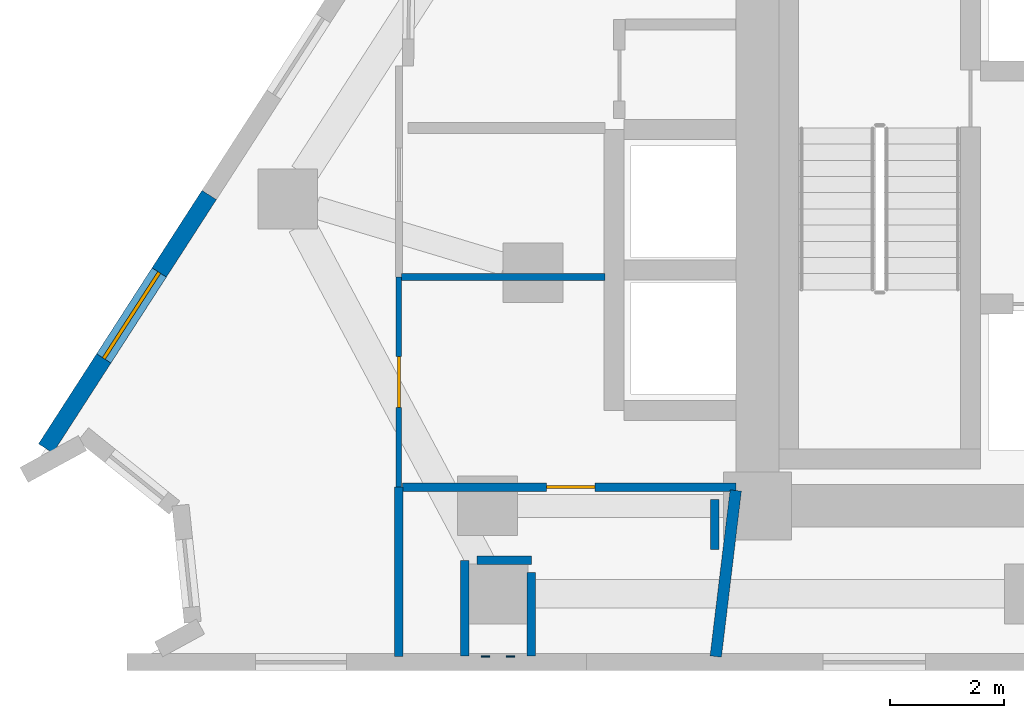
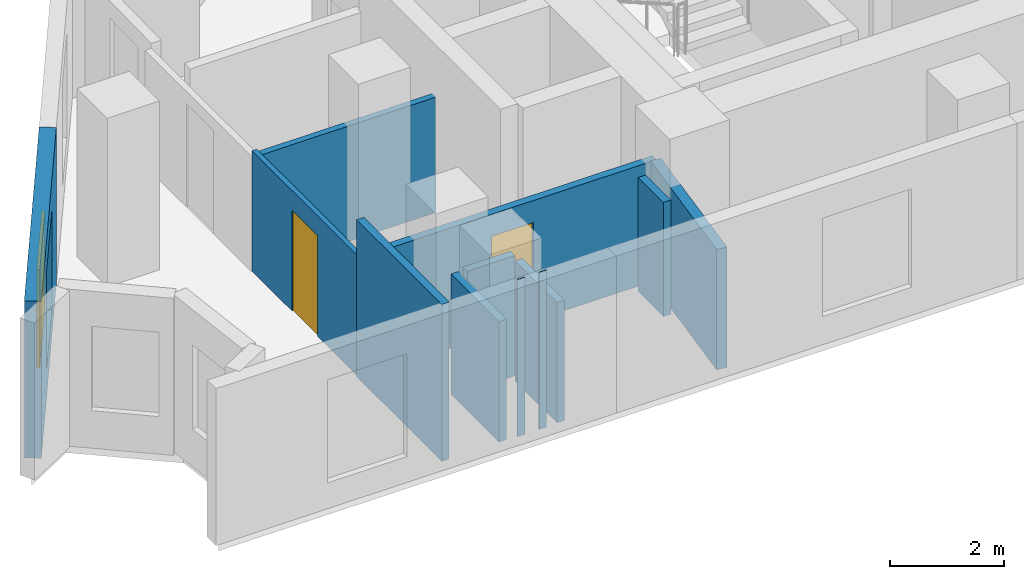
# One storey, part 5 of 11: 12 walls, 2 doors, 1 window, 3 openings.
"""IFC4 building model written with IfcOpenShell, lengths in metres."""

from ifc_helpers import new_model, si_unit, direction, frame, frame_2d, origin, place, context, subcontext, project, spatial, rectangle, extrude, material, layer, layer_set, type_object, element, fill, save


model = new_model("IFC4")

# Units and contexts
model_context = context("Model", 3, precision=1e-05, world=origin(), true_north=direction((0.0, 1.0)))
body_context = subcontext(model_context, "Body", "Model", "MODEL_VIEW")
ifc_project = project(units=[si_unit("LENGTHUNIT", "METRE"), si_unit("AREAUNIT", "SQUARE_METRE"), si_unit("VOLUMEUNIT", "CUBIC_METRE"), si_unit("PLANEANGLEUNIT", "RADIAN"), si_unit("MASSUNIT", "GRAM", prefix="KILO")], contexts=[model_context])

# Site, building, storey
site_placement = place(None, origin())
site = spatial("IfcSite", under=ifc_project, at=site_placement, CompositionType="ELEMENT")
building_placement = place(site_placement, origin())
building = spatial("IfcBuilding", under=site, at=building_placement, Name="Almagre Mirador Tower", CompositionType="ELEMENT")
storey_placement = place(building_placement, frame((0.0, 0.0, 189.60009765625)))
storey = spatial("IfcBuildingStorey", under=building, at=storey_placement, Name="L49", CompositionType="ELEMENT", Elevation=189.60009765625)

# Wall, opening, window
ifc_material_1 = material(Name="Precast concrete C50/60", Category="concrete")
ifc_layer_1 = layer(ifc_material_1, 0.300048828125)
ifc_layer_set_1 = layer_set([ifc_layer_1], Name="Precast concrete C50/60")
wall_type_1 = type_object("IfcWallType", Name="WAL-EXT-300", PredefinedType="SOLIDWALL", material=ifc_layer_set_1)
wall_1_placement = place(storey_placement, frame((15.025390625, 5.56005859375, 0.0), z_axis=(0.0, 0.0, 1.0), x_axis=(0.542035708621, 0.8403554549, 0.0)))
wall_1 = element("IfcWall", 1, at=wall_1_placement, inside=storey, type_object=wall_type_1, Name="L49 expressed almagre precast frame wall 31", PredefinedType="SOLIDWALL", context=body_context, shape_type="SweptSolid", body=[
    extrude(rectangle(XDim=5.30712890625, YDim=0.300048828125, at=frame_2d((2.653564453125, 0.0))), origin(), (0.0, 0.0, 1.0), 3.349853515625),
])
opening_1_placement = place(wall_1_placement, frame((1.885009765625, 0.0, 0.60009765625)))
opening_1 = element("IfcOpeningElement", 2, at=opening_1_placement, cuts=wall_1, Name="Opening WN-01", PredefinedType="OPENING", context=body_context, shape_type="SweptSolid", body=[
    extrude(rectangle(XDim=1.800048828125, YDim=2.10009765625, at=frame_2d((0.89990234375, 1.050048828125))), frame((0.0, 0.159902, 0.0), z_axis=(0.0, -1.0, 0.0), x_axis=(1.0, 0.0, 0.0)), (0.0, 0.0, 1.0), 0.320049),
])
ifc_material_2 = material(Name="Dark solar-control laminated hurricane glass", Category="glass")
window_type = type_object("IfcWindowType", Name="WIN-1800X2100", PartitioningType="DOUBLE_PANEL_VERTICAL", PredefinedType="WINDOW", material=ifc_material_2)
window_placement = place(opening_1_placement, origin())
window = element("IfcWindow", 3, at=window_placement, inside=storey, type_object=window_type, Name="L49 recessed hurricane window L49-UA-LV", OverallHeight=2.10009765625, OverallWidth=1.800048828125, PartitioningType="SINGLE_PANEL", PredefinedType="WINDOW", context=body_context, shape_type="SweptSolid", body=[
    extrude(rectangle(XDim=1.800048828125, YDim=2.10009765625, at=frame_2d((0.89990234375, 1.050048828125))), frame((0.0, 0.030029296875, 0.0), z_axis=(0.0, -1.0, 0.0), x_axis=(1.0, 0.0, 0.0)), (0.0, 0.0, 1.0), 0.06005859375),
])
fill(opening_1, window)

# Wall, opening, door
ifc_material_3 = material(Name="Gypsum acoustic stud partition", Category="other")
ifc_layer_2 = layer(ifc_material_3, 0.10009765625)
ifc_layer_set_2 = layer_set([ifc_layer_2], Name="Gypsum acoustic stud partition")
wall_type_2 = type_object("IfcWallType", Name="WAL-PRT-100-CLS", PredefinedType="PARTITIONING", material=ifc_layer_set_2)
wall_2_placement = place(storey_placement, frame((21.239990234375, 4.8798828125, 0.0), z_axis=(0.0, 0.0, 1.0), x_axis=(0.0, 1.0, 0.0)))
wall_2 = element("IfcWall", 4, at=wall_2_placement, inside=storey, type_object=wall_type_2, Name="L49 interior partition 026", PredefinedType="PARTITIONING", context=body_context, shape_type="SweptSolid", body=[
    extrude(rectangle(XDim=3.7001953125, YDim=0.10009765625, at=frame_2d((1.85009765625, 0.0))), origin(), (0.0, 0.0, 1.0), 2.56982421875),
])
opening_2_placement = place(wall_2_placement, frame((1.39990234375, 0.0, 0.0)))
opening_2 = element("IfcOpeningElement", 5, at=opening_2_placement, cuts=wall_2, Name="Opening UD-02", PredefinedType="OPENING", context=body_context, shape_type="SweptSolid", body=[
    extrude(rectangle(XDim=0.89990234375, YDim=2.14990234375, at=frame_2d((0.449951171875, 1.074951171875))), frame((0.0, 0.060049, 0.0), z_axis=(0.0, -1.0, 0.0), x_axis=(1.0, 0.0, 0.0)), (0.0, 0.0, 1.0), 0.120098),
])
ifc_material_4 = material(Name="Solid American walnut timber", Category="wood")
door_type_1 = type_object("IfcDoorType", Name="DOR-UNR-900X2150", OperationType="NOTDEFINED", PredefinedType="DOOR", material=ifc_material_4)
door_1_placement = place(opening_2_placement, origin())
door_1 = element("IfcDoor", 6, at=door_1_placement, inside=storey, type_object=door_type_1, Name="DR-1550 L49 interior door L49-UA-LV to L49-UA-MB", OperationType="SINGLE_SWING_LEFT", OverallHeight=2.14990234375, OverallWidth=0.89990234375, PredefinedType="DOOR", context=body_context, shape_type="SweptSolid", body=[
    extrude(rectangle(XDim=0.89990234375, YDim=2.14990234375, at=frame_2d((0.449951171875, 1.074951171875))), frame((0.0, 0.02490234375, 0.0), z_axis=(0.0, -1.0, 0.0), x_axis=(1.0, 0.0, 0.0)), (0.0, 0.0, 1.0), 0.050048828125),
])
fill(opening_2, door_1)

# Walls
ifc_material_5 = material(Name="Gypsum acoustic stud partition", Category="other")
ifc_layer_3 = layer(ifc_material_5, 0.125)
ifc_layer_set_3 = layer_set([ifc_layer_3], Name="Gypsum acoustic stud partition")
wall_type_3 = type_object("IfcWallType", Name="WAL-PRT-125-UTL", PredefinedType="PARTITIONING", material=ifc_layer_set_3)
wall_3_placement = place(storey_placement, frame((21.28759765625, 8.580078125, 0.0), z_axis=(0.0, 0.0, 1.0), x_axis=(1.0, 0.0, 0.0)))
element("IfcWall", 7, at=wall_3_placement, inside=storey, type_object=wall_type_3, Name="L49 interior partition 029", PredefinedType="PARTITIONING", context=body_context, shape_type="SweptSolid", body=[
    extrude(rectangle(XDim=3.577392578125, YDim=0.125, at=frame_2d((1.78857421875, 0.0))), origin(), (0.0, 0.0, 1.0), 2.4638671875),
])
ifc_material_6 = material(Name="Gypsum acoustic stud partition", Category="other")
ifc_layer_4 = layer(ifc_material_6, 0.14990234375)
ifc_layer_set_4 = layer_set([ifc_layer_4], Name="Gypsum acoustic stud partition")
wall_type_4 = type_object("IfcWallType", Name="WAL-PRT-150-STD", PredefinedType="PARTITIONING", material=ifc_layer_set_4)
wall_4_placement = place(storey_placement, frame((21.239990234375, 1.89990234375, 0.0), z_axis=(0.0, 0.0, 1.0), x_axis=(0.0, 1.0, 0.0)))
element("IfcWall", 8, at=wall_4_placement, inside=storey, type_object=wall_type_4, Name="L49 interior partition 024", PredefinedType="PARTITIONING", context=body_context, shape_type="SweptSolid", body=[
    extrude(rectangle(XDim=2.97998046875, YDim=0.14990234375, at=frame_2d((1.489990234375, 0.0))), origin(), (0.0, 0.0, 1.0), 3.349853515625),
])

# Wall, opening, door
wall_5_placement = place(storey_placement, frame((27.175048828125, 4.8798828125, 0.0), z_axis=(0.0, 0.0, 1.0), x_axis=(-1.0, 0.0, 0.0)))
wall_5 = element("IfcWall", 9, at=wall_5_placement, inside=storey, type_object=wall_type_4, Name="L49 interior partition 027", PredefinedType="PARTITIONING", context=body_context, shape_type="SweptSolid", body=[
    extrude(rectangle(XDim=5.875, YDim=0.14990234375, at=frame_2d((2.9375, 0.0))), origin(), (0.0, 0.0, 1.0), 2.56982421875),
])
opening_3_placement = place(wall_5_placement, frame((2.48388671875, 0.0, 0.0)))
opening_3 = element("IfcOpeningElement", 10, at=opening_3_placement, cuts=wall_5, Name="Opening UD-04", PredefinedType="OPENING", context=body_context, shape_type="SweptSolid", body=[
    extrude(rectangle(XDim=0.85009765625, YDim=2.10009765625, at=frame_2d((0.425048828125, 1.050048828125))), frame((0.0, 0.084951, 0.0), z_axis=(0.0, -1.0, 0.0), x_axis=(1.0, 0.0, 0.0)), (0.0, 0.0, 1.0), 0.169902),
])
ifc_material_7 = material(Name="Moisture-resistant oak timber", Category="wood")
door_type_2 = type_object("IfcDoorType", Name="DOR-UNR-850X2100", OperationType="NOTDEFINED", PredefinedType="DOOR", material=ifc_material_7)
door_2_placement = place(opening_3_placement, origin())
door_2 = element("IfcDoor", 11, at=door_2_placement, inside=storey, type_object=door_type_2, Name="DR-1558 L49 interior door L49-UA-HB to L49-UA-MB", OperationType="SINGLE_SWING_RIGHT", OverallHeight=2.10009765625, OverallWidth=0.85009765625, PredefinedType="DOOR", context=body_context, shape_type="SweptSolid", body=[
    extrude(rectangle(XDim=0.85009765625, YDim=2.10009765625, at=frame_2d((0.425048828125, 1.050048828125))), frame((0.0, 0.02490234375, 0.0), z_axis=(0.0, -1.0, 0.0), x_axis=(1.0, 0.0, 0.0)), (0.0, 0.0, 1.0), 0.050048828125),
])
fill(opening_3, door_2)

# Walls
wall_6_placement = place(storey_placement, frame((22.760009765625, 1.888916015625, 0.0), z_axis=(0.0, 0.0, 1.0), x_axis=(0.0, 1.0, 0.0)))
element("IfcWall", 12, at=wall_6_placement, inside=storey, type_object=wall_type_4, Name="L49 interior partition 057", PredefinedType="PARTITIONING", context=body_context, shape_type="SweptSolid", body=[
    extrude(rectangle(XDim=0.02001953125, YDim=0.14990234375, at=frame_2d((0.010009765625, 0.0))), origin(), (0.0, 0.0, 1.0), 3.349853515625),
])
wall_7_placement = place(storey_placement, frame((22.39990234375, 1.908935546875, 0.0), z_axis=(0.0, 0.0, 1.0), x_axis=(0.0, 1.0, 0.0)))
element("IfcWall", 13, at=wall_7_placement, inside=storey, type_object=wall_type_4, Name="L49 interior partition 058", PredefinedType="PARTITIONING", context=body_context, shape_type="SweptSolid", body=[
    extrude(rectangle(XDim=1.68115234375, YDim=0.14990234375, at=frame_2d((0.840576171875, 0.0))), origin(), (0.0, 0.0, 1.0), 2.56982421875),
])
wall_8_placement = place(storey_placement, frame((22.614990234375, 3.590087890625, 0.0), z_axis=(0.0, 0.0, 1.0), x_axis=(1.0, 0.0, 0.0)))
element("IfcWall", 14, at=wall_8_placement, inside=storey, type_object=wall_type_4, Name="L49 interior partition 059", PredefinedType="PARTITIONING", context=body_context, shape_type="SweptSolid", body=[
    extrude(rectangle(XDim=0.955078125, YDim=0.14990234375, at=frame_2d((0.4775390625, 0.0))), origin(), (0.0, 0.0, 1.0), 2.56982421875),
])
wall_9_placement = place(storey_placement, frame((23.570068359375, 3.375, 0.0), z_axis=(0.0, 0.0, 1.0), x_axis=(0.0, -1.0, 0.0)))
element("IfcWall", 15, at=wall_9_placement, inside=storey, type_object=wall_type_4, Name="L49 interior partition 060", PredefinedType="PARTITIONING", context=body_context, shape_type="SweptSolid", body=[
    extrude(rectangle(XDim=1.466064453125, YDim=0.14990234375, at=frame_2d((0.73291015625, 0.0))), origin(), (0.0, 0.0, 1.0), 2.56982421875),
])
wall_10_placement = place(storey_placement, frame((23.199951171875, 1.908935546875, 0.0), z_axis=(0.0, 0.0, 1.0), x_axis=(0.0, -1.0, 0.0)))
element("IfcWall", 16, at=wall_10_placement, inside=storey, type_object=wall_type_4, Name="L49 interior partition 061", PredefinedType="PARTITIONING", context=body_context, shape_type="SweptSolid", body=[
    extrude(rectangle(XDim=0.02001953125, YDim=0.14990234375, at=frame_2d((0.010009765625, 0.0))), origin(), (0.0, 0.0, 1.0), 3.349853515625),
])
wall_11_placement = place(storey_placement, frame((26.800048828125, 3.785888671875, 0.0), z_axis=(0.0, 0.0, 1.0), x_axis=(0.0, 1.0, 0.0)))
element("IfcWall", 17, at=wall_11_placement, inside=storey, type_object=wall_type_4, Name="L49 interior partition 066", PredefinedType="PARTITIONING", context=body_context, shape_type="SweptSolid", body=[
    extrude(rectangle(XDim=0.879150390625, YDim=0.14990234375, at=frame_2d((0.439453125, 0.0))), origin(), (0.0, 0.0, 1.0), 2.435791015625),
])
ifc_material_8 = material(Name="Gypsum acoustic stud partition", Category="other")
ifc_layer_5 = layer(ifc_material_8, 0.199951171875)
ifc_layer_set_5 = layer_set([ifc_layer_5], Name="Gypsum acoustic stud partition")
wall_type_5 = type_object("IfcWallType", Name="WAL-PRT-200-EI60", PredefinedType="PARTITIONING", material=ifc_layer_set_5)
wall_12_placement = place(storey_placement, frame((26.81591796875, 1.89892578125, 0.0), z_axis=(0.0, 0.0, 1.0), x_axis=(0.119560717817, 0.992826890629, 0.0)))
element("IfcWall", 18, at=wall_12_placement, inside=storey, type_object=wall_type_5, Name="L49 interior partition 028", PredefinedType="PARTITIONING", context=body_context, shape_type="SweptSolid", body=[
    extrude(rectangle(XDim=2.9423828125, YDim=0.199951171875, at=frame_2d((1.47119140625, 0.0))), origin(), (0.0, 0.0, 1.0), 2.56982421875),
])

save(model, "model.ifc")
